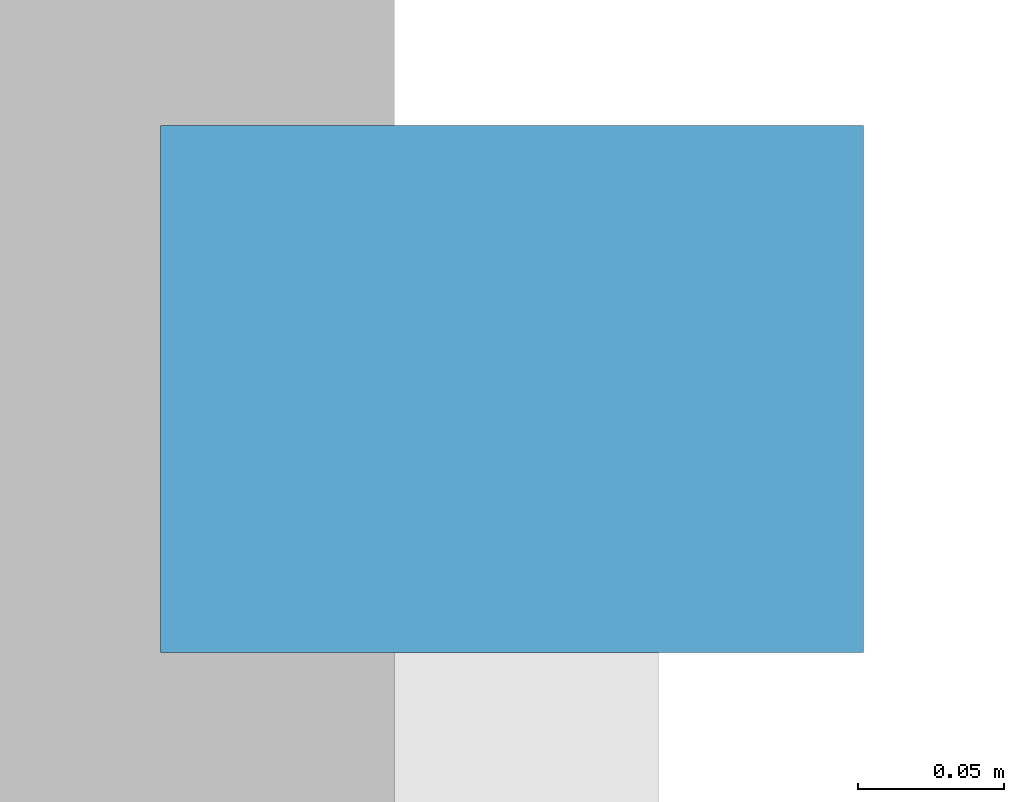
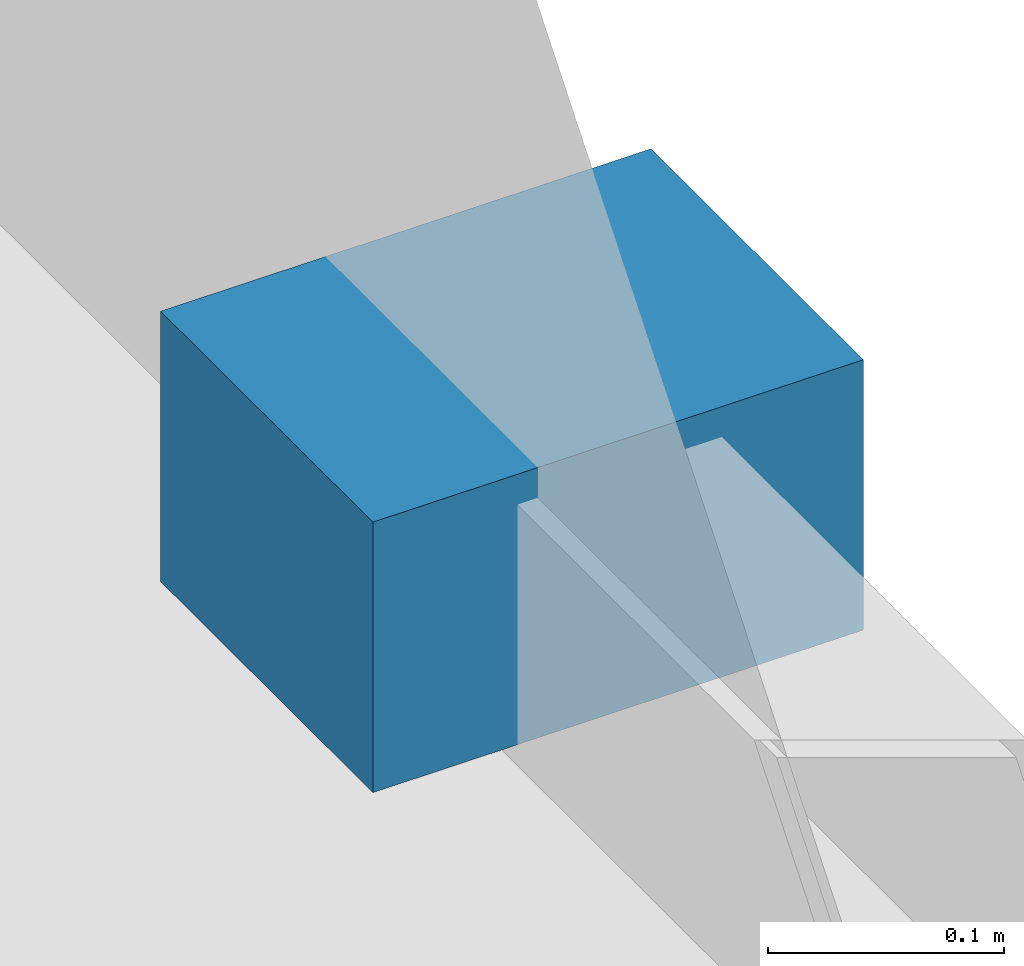
# One storey, part 96 of 117: 1 discrete accessory.
"""IFC4 building model written with IfcOpenShell, lengths in metres."""

from ifc_helpers import new_model, si_unit, direction, frame, origin, origin_2d, place, context, subcontext, project, spatial, rectangle, extrude, material, layer, layer_set, type_object, element, save


model = new_model("IFC4")

# Units and contexts
model_context = context("Model", 3, precision=1e-05, world=origin(), true_north=direction((0.0, 1.0)))
body_context = subcontext(model_context, "Body", "Model", "MODEL_VIEW")
ifc_project = project(units=[si_unit("LENGTHUNIT", "METRE"), si_unit("AREAUNIT", "SQUARE_METRE"), si_unit("VOLUMEUNIT", "CUBIC_METRE"), si_unit("PLANEANGLEUNIT", "RADIAN"), si_unit("MASSUNIT", "GRAM", prefix="KILO")], contexts=[model_context])

# Site, building, storey
site_placement = place(None, origin())
site = spatial("IfcSite", under=ifc_project, at=site_placement, CompositionType="ELEMENT")
building_placement = place(site_placement, origin())
building = spatial("IfcBuilding", under=site, at=building_placement, Name="Haebicheon Civic Stadium", CompositionType="ELEMENT")
storey_placement = place(building_placement, frame((0.0, 0.0, 4.800048828125)))
storey = spatial("IfcBuildingStorey", under=building, at=storey_placement, Name="L02", CompositionType="ELEMENT", Elevation=4.800048828125)

# Discrete accessory
ifc_material = material(Name="Stainless steel 316", Category="steel")
ifc_layer = layer(ifc_material, 0.139892578125, Name="Stainless steel 316")
ifc_layer_set = layer_set([ifc_layer], Name="Stainless steel 316")
discrete_accessory_type = type_object("IfcDiscreteAccessoryType", Name="BRK-LVR-CLEAT", PredefinedType="BRACKET", material=ifc_layer_set)
discrete_accessory_placement = place(storey_placement, frame((236.5400390625, 128.0, 0.009765625), z_axis=(0.0, 0.0, 1.0), x_axis=(1.0, 0.0, 0.0)))
element("IfcDiscreteAccessory", 1, at=discrete_accessory_placement, inside=storey, type_object=discrete_accessory_type, material=ifc_layer_set, Name="SCR-COMM L02 stainless bracket cleat 10B", PredefinedType="BRACKET", context=body_context, shape_type="SweptSolid", body=[
    extrude(rectangle(XDim=0.239990234375, YDim=0.179931640625, at=origin_2d()), origin(), (0.0, 0.0, 1.0), 0.139892578125),
])

save(model, "model.ifc")
